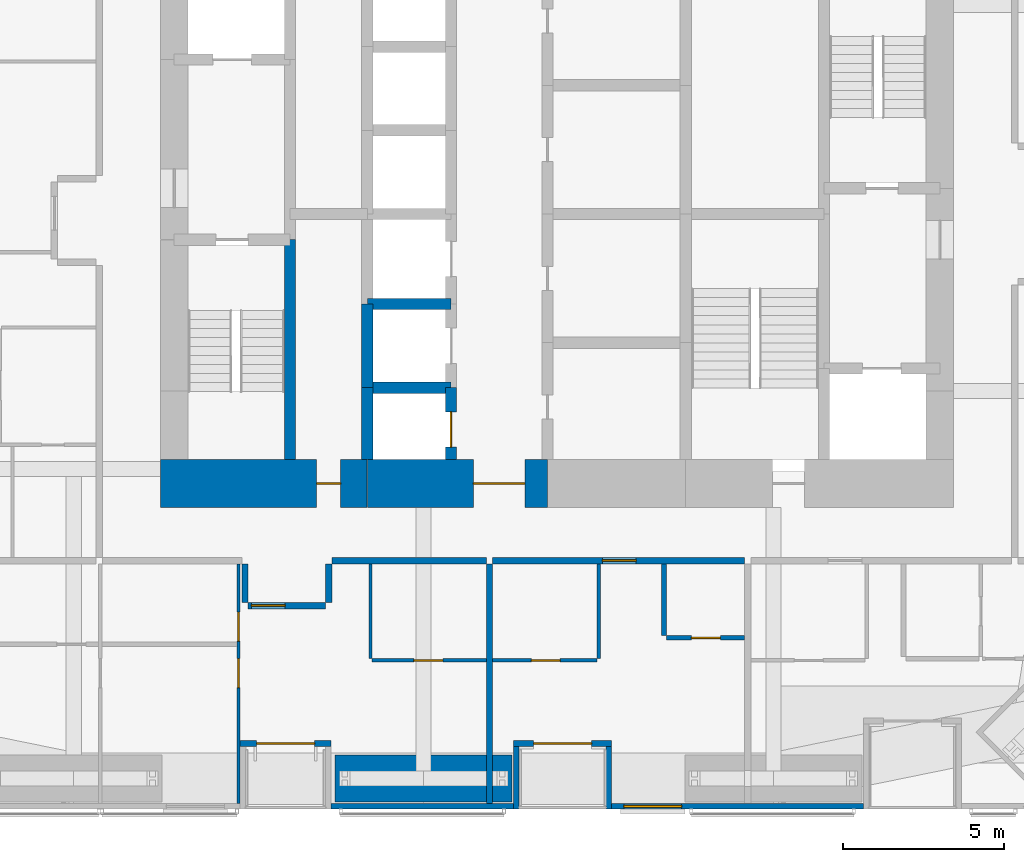
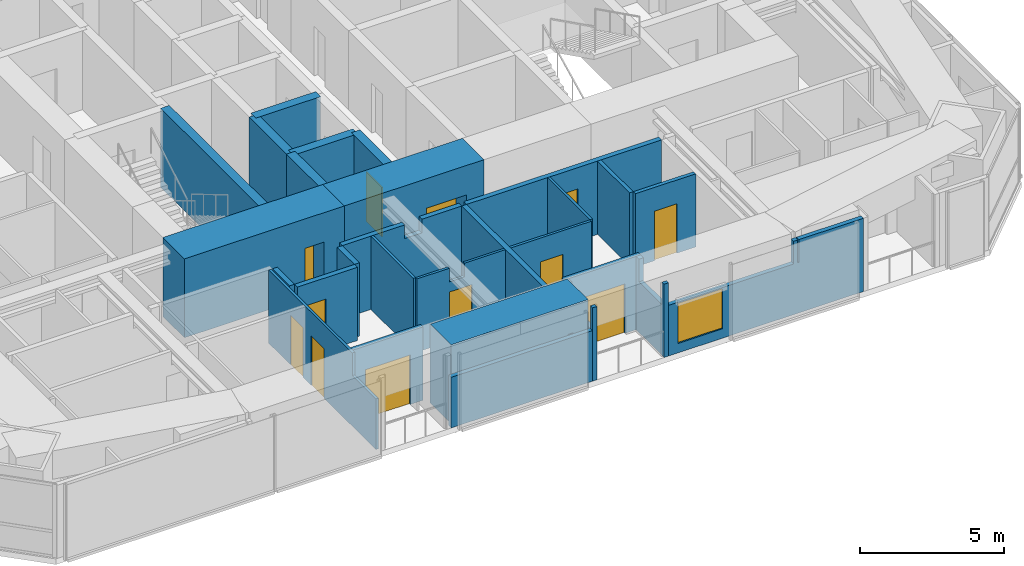
# One storey, part 17 of 23: 28 walls, 12 doors, 1 window, 13 openings.
"""IFC4 building model written with IfcOpenShell, lengths in metres."""

from ifc_helpers import new_model, si_unit, direction, frame, frame_2d, origin, place, context, subcontext, project, spatial, polyline, rectangle, outline, extrude, material, layer, layer_set, constituent, constituent_set, type_object, element, fill, save


model = new_model("IFC4")

# Units and contexts
model_context = context("Model", 3, precision=1e-05, world=origin(), true_north=direction((0.0, 1.0)))
body_context = subcontext(model_context, "Body", "Model", "MODEL_VIEW")
ifc_project = project(units=[si_unit("LENGTHUNIT", "METRE"), si_unit("AREAUNIT", "SQUARE_METRE"), si_unit("VOLUMEUNIT", "CUBIC_METRE"), si_unit("PLANEANGLEUNIT", "RADIAN"), si_unit("MASSUNIT", "GRAM", prefix="KILO")], contexts=[model_context])

# Site, building, storey
site_placement = place(None, origin())
site = spatial("IfcSite", under=ifc_project, at=site_placement, CompositionType="ELEMENT")
building_placement = place(site_placement, origin())
building = spatial("IfcBuilding", under=site, at=building_placement, Name="Jalousie Tower", CompositionType="ELEMENT")
storey_placement = place(building_placement, frame((0.0, 0.0, 88.10009765625)))
storey = spatial("IfcBuildingStorey", under=building, at=storey_placement, Name="L23", CompositionType="ELEMENT", Elevation=88.10009765625)

# Wall, opening, door
ifc_material_1 = material(Name="Concrete block ASTM C90", Category="concrete")
ifc_constituent_1 = constituent(ifc_material_1, Name="Body")
ifc_material_2 = material(Name="Render")
ifc_constituent_2 = constituent(ifc_material_2, Name="Finish")
ifc_constituent_set_1 = constituent_set(constituents=[ifc_constituent_1, ifc_constituent_2])
wall_type_1 = type_object("IfcWallType", Name="BATHROOM WALL 150", PredefinedType="PLUMBINGWALL", material=ifc_constituent_set_1)
wall_1_placement = place(storey_placement, frame((35.300048828125, 5.324951171875, 0.0), z_axis=(0.0, 0.0, 1.0), x_axis=(1.0, 0.0, 0.0)))
wall_1 = element("IfcWall", 1, at=wall_1_placement, inside=storey, type_object=wall_type_1, Name="Bathroom Wall 150 L23", PredefinedType="PLUMBINGWALL", context=body_context, shape_type="SweptSolid", body=[
    extrude(rectangle(XDim=2.425048828125, YDim=0.14990234375, at=frame_2d((1.21240234375, 0.0))), origin(), (0.0, 0.0, 1.0), 3.10986328125),
])
opening_1_placement = place(wall_1_placement, frame((0.77490234375, 0.0, 0.0)))
opening_1 = element("IfcOpeningElement", 2, at=opening_1_placement, cuts=wall_1, Name="Opening D3", PredefinedType="OPENING", context=body_context, shape_type="SweptSolid", body=[
    extrude(rectangle(XDim=0.89990234375, YDim=2.10009765625, at=frame_2d((0.449951171875, 1.050048828125))), frame((0.0, 0.0849609375, 0.0), z_axis=(0.0, -1.0, 0.0), x_axis=(1.0, 0.0, 0.0)), (0.0, 0.0, 1.0), 0.169921875),
])
ifc_material_3 = material(Name="Timber door", Category="wood")
door_type_1 = type_object("IfcDoorType", Name="BATHROOM DOOR 900", OperationType="SINGLE_SWING_LEFT", PredefinedType="DOOR", material=ifc_material_3)
door_1_placement = place(opening_1_placement, origin())
door_1 = element("IfcDoor", 3, at=door_1_placement, inside=storey, type_object=door_type_1, Name="Apartment 2302 bathroom door", OperationType="SINGLE_SWING_RIGHT", OverallHeight=2.10009765625, OverallWidth=0.89990234375, PredefinedType="DOOR", context=body_context, shape_type="SweptSolid", body=[
    extrude(rectangle(XDim=0.89990234375, YDim=2.10009765625, at=frame_2d((0.449951171875, 1.050048828125))), frame((0.0, 0.02490234375, 0.0), z_axis=(0.0, -1.0, 0.0), x_axis=(1.0, 0.0, 0.0)), (0.0, 0.0, 1.0), 0.050048828125),
])
fill(opening_1, door_1)

# Wall
wall_2_placement = place(storey_placement, frame((35.22509765625, 5.39990234375, 0.0), z_axis=(0.0, 0.0, 1.0), x_axis=(0.0, 1.0, 0.0)))
element("IfcWall", 4, at=wall_2_placement, inside=storey, type_object=wall_type_1, Name="Bathroom Wall 150 L23", PredefinedType="PLUMBINGWALL", context=body_context, shape_type="SweptSolid", body=[
    extrude(rectangle(XDim=2.22509765625, YDim=0.14990234375, at=frame_2d((1.112548828125, 0.0))), origin(), (0.0, 0.0, 1.0), 3.10986328125),
])

# Wall, opening, door
ifc_material_4 = material(Name="Concrete f'c 120 MPa", Category="concrete")
ifc_layer_1 = layer(ifc_material_4, 1.5)
ifc_layer_set_1 = layer_set([ifc_layer_1], Name="Concrete f'c 120 MPa")
wall_type_2 = type_object("IfcWallType", Name="CORE WALL 1500", PredefinedType="SHEAR", material=ifc_layer_set_1)
wall_3_placement = place(storey_placement, frame((19.574951171875, 10.125, 0.0), z_axis=(0.0, 0.0, 1.0), x_axis=(1.0, 0.0, 0.0)))
wall_3 = element("IfcWall", 5, at=wall_3_placement, inside=storey, type_object=wall_type_2, Name="Core wall SA L23", PredefinedType="SHEAR", context=body_context, shape_type="SweptSolid", body=[
    extrude(rectangle(XDim=6.425048828125, YDim=1.5, at=frame_2d((3.21240234375, 0.0))), origin(), (0.0, 0.0, 1.0), 3.349853515625),
])
opening_2_placement = place(wall_3_placement, frame((4.85009765625, 0.0, 0.0)))
opening_2 = element("IfcOpeningElement", 6, at=opening_2_placement, cuts=wall_3, Name="Opening D16", PredefinedType="OPENING", context=body_context, shape_type="SweptSolid", body=[
    extrude(rectangle(XDim=0.75, YDim=2.10009765625, at=frame_2d((0.375, 1.050048828125))), frame((0.0, 0.760009765625, 0.0), z_axis=(0.0, -1.0, 0.0), x_axis=(1.0, 0.0, 0.0)), (0.0, 0.0, 1.0), 1.52001953125),
])
ifc_material_5 = material(Name="Steel fire door", Category="steel")
door_type_2 = type_object("IfcDoorType", Name="RISER DOOR 750", OperationType="SINGLE_SWING_LEFT", PredefinedType="DOOR", material=ifc_material_5)
door_2_placement = place(opening_2_placement, origin())
door_2 = element("IfcDoor", 7, at=door_2_placement, inside=storey, type_object=door_type_2, Name="South riser door", OperationType="SINGLE_SWING_LEFT", OverallHeight=2.10009765625, OverallWidth=0.75, PredefinedType="DOOR", context=body_context, shape_type="SweptSolid", body=[
    extrude(rectangle(XDim=0.75, YDim=2.10009765625, at=frame_2d((0.375, 1.050048828125))), frame((0.0, 0.02490234375, 0.0), z_axis=(0.0, -1.0, 0.0), x_axis=(1.0, 0.0, 0.0)), (0.0, 0.0, 1.0), 0.050048828125),
])
fill(opening_2, door_2)

wall_4_placement = place(storey_placement, frame((26.0, 10.125, 0.0), z_axis=(0.0, 0.0, 1.0), x_axis=(1.0, 0.0, 0.0)))
wall_4 = element("IfcWall", 8, at=wall_4_placement, inside=storey, type_object=wall_type_2, Name="Core wall SB L23", PredefinedType="SHEAR", context=body_context, shape_type="SweptSolid", body=[
    extrude(rectangle(XDim=5.60009765625, YDim=1.5, at=frame_2d((2.800048828125, 0.0))), origin(), (0.0, 0.0, 1.0), 3.349853515625),
])
opening_3_placement = place(wall_4_placement, frame((3.300048828125, 0.0, 0.0)))
opening_3 = element("IfcOpeningElement", 9, at=opening_3_placement, cuts=wall_4, Name="Opening D15", PredefinedType="OPENING", context=body_context, shape_type="SweptSolid", body=[
    extrude(rectangle(XDim=1.60009765625, YDim=2.10009765625, at=frame_2d((0.800048828125, 1.050048828125))), frame((0.0, 0.760009765625, 0.0), z_axis=(0.0, -1.0, 0.0), x_axis=(1.0, 0.0, 0.0)), (0.0, 0.0, 1.0), 1.52001953125),
])
ifc_material_6 = material(Name="Steel fire door", Category="steel")
door_type_3 = type_object("IfcDoorType", Name="LIFT LOBBY DOOR 1600", OperationType="DOUBLE_DOOR_SINGLE_SWING", PredefinedType="DOOR", material=ifc_material_6)
door_3_placement = place(opening_3_placement, origin())
door_3 = element("IfcDoor", 10, at=door_3_placement, inside=storey, type_object=door_type_3, Name="Lift lobby south door", OperationType="DOUBLE_DOOR_SINGLE_SWING", OverallHeight=2.10009765625, OverallWidth=1.60009765625, PredefinedType="DOOR", context=body_context, shape_type="SweptSolid", body=[
    extrude(rectangle(XDim=1.60009765625, YDim=2.10009765625, at=frame_2d((0.800048828125, 1.050048828125))), frame((0.0, 0.02490234375, 0.0), z_axis=(0.0, -1.0, 0.0), x_axis=(1.0, 0.0, 0.0)), (0.0, 0.0, 1.0), 0.050048828125),
])
fill(opening_3, door_3)

# Walls
ifc_material_7 = material(Name="Concrete f'c 120 MPa", Category="concrete")
ifc_layer_2 = layer(ifc_material_7, 0.35009765625)
ifc_layer_set_2 = layer_set([ifc_layer_2], Name="Concrete f'c 120 MPa")
wall_type_3 = type_object("IfcWallType", Name="CORE WALL 350", PredefinedType="SHEAR", material=ifc_layer_set_2)
wall_5_placement = place(storey_placement, frame((23.60009765625, 10.875, 0.0), z_axis=(0.0, 0.0, 1.0), x_axis=(0.0, 1.0, 0.0)))
element("IfcWall", 11, at=wall_5_placement, inside=storey, type_object=wall_type_3, Name="Core wall X23.6A L23", PredefinedType="SHEAR", context=body_context, shape_type="SweptSolid", body=[
    extrude(rectangle(XDim=6.824951171875, YDim=0.35009765625, at=frame_2d((3.41259765625, 0.0))), origin(), (0.0, 0.0, 1.0), 3.349853515625),
])
wall_6_placement = place(storey_placement, frame((26.0, 10.875, 0.0), z_axis=(0.0, 0.0, 1.0), x_axis=(0.0, 1.0, 0.0)))
element("IfcWall", 12, at=wall_6_placement, inside=storey, type_object=wall_type_3, Name="Core wall X26A L23", PredefinedType="SHEAR", context=body_context, shape_type="SweptSolid", body=[
    extrude(rectangle(XDim=2.22509765625, YDim=0.35009765625, at=frame_2d((1.112548828125, 0.0))), origin(), (0.0, 0.0, 1.0), 3.349853515625),
])
wall_7_placement = place(storey_placement, frame((26.0, 13.10009765625, 0.0), z_axis=(0.0, 0.0, 1.0), x_axis=(0.0, 1.0, 0.0)))
element("IfcWall", 13, at=wall_7_placement, inside=storey, type_object=wall_type_3, Name="Core wall X26B L23", PredefinedType="SHEAR", context=body_context, shape_type="SweptSolid", body=[
    extrude(rectangle(XDim=2.599853515625, YDim=0.35009765625, at=frame_2d((1.2998046875, 0.0))), origin(), (0.0, 0.0, 1.0), 3.349853515625),
])

# Wall, opening, door
wall_8_placement = place(storey_placement, frame((28.60009765625, 10.875, 0.0), z_axis=(0.0, 0.0, 1.0), x_axis=(0.0, 1.0, 0.0)))
wall_8 = element("IfcWall", 14, at=wall_8_placement, inside=storey, type_object=wall_type_3, Name="Core wall X28.6A L23", PredefinedType="SHEAR", context=body_context, shape_type="SweptSolid", body=[
    extrude(rectangle(XDim=2.22509765625, YDim=0.35009765625, at=frame_2d((1.112548828125, 0.0))), origin(), (0.0, 0.0, 1.0), 3.349853515625),
])
opening_4_placement = place(wall_8_placement, frame((0.375, 0.0, 0.0)))
opening_4 = element("IfcOpeningElement", 15, at=opening_4_placement, cuts=wall_8, Name="Opening LD1", PredefinedType="OPENING", context=body_context, shape_type="SweptSolid", body=[
    extrude(rectangle(XDim=1.10009765625, YDim=2.10009765625, at=frame_2d((0.550048828125, 1.050048828125))), frame((0.0, 0.18505859375, 0.0), z_axis=(0.0, -1.0, 0.0), x_axis=(1.0, 0.0, 0.0)), (0.0, 0.0, 1.0), 0.3701171875),
])
ifc_material_8 = material(Name="Steel lift landing door", Category="steel")
door_type_4 = type_object("IfcDoorType", Name="LIFT LANDING DOOR 1100", OperationType="SLIDING_TO_LEFT", PredefinedType="DOOR", material=ifc_material_8)
door_4_placement = place(opening_4_placement, origin())
door_4 = element("IfcDoor", 16, at=door_4_placement, inside=storey, type_object=door_type_4, Name="Lift P1 landing door", OperationType="SLIDING_TO_LEFT", OverallHeight=2.10009765625, OverallWidth=1.10009765625, PredefinedType="DOOR", context=body_context, shape_type="SweptSolid", body=[
    extrude(rectangle(XDim=1.10009765625, YDim=2.10009765625, at=frame_2d((0.550048828125, 1.050048828125))), frame((0.0, 0.02490234375, 0.0), z_axis=(0.0, -1.0, 0.0), x_axis=(1.0, 0.0, 0.0)), (0.0, 0.0, 1.0), 0.050048828125),
])
fill(opening_4, door_4)

# Walls
for number, where, z_axis, x_axis, name in (
    (17, (26.0, 13.10009765625, 0.0), (0.0, 0.0, 1.0), (1.0, 0.0, 0.0), "Core wall Y26-13.1 L23"),
    (18, (26.0, 15.699951171875, 0.0), (0.0, 0.0, 1.0), (1.0, 0.0, 0.0), "Core wall Y26-15.7 L23"),
):
    element("IfcWall", number, at=place(storey_placement, frame(where, z_axis=z_axis, x_axis=x_axis)), inside=storey, type_object=wall_type_3, Name=name, PredefinedType="SHEAR", context=body_context, shape_type="SweptSolid", body=[
        extrude(rectangle(XDim=2.60009765625, YDim=0.35009765625, at=frame_2d((1.300048828125, 0.0))), origin(), (0.0, 0.0, 1.0), 3.349853515625),
    ])

# Wall, opening, door
ifc_material_9 = material(Name="Concrete block ASTM C90", Category="concrete")
ifc_constituent_3 = constituent(ifc_material_9, Name="Body")
ifc_material_10 = material(Name="Render")
ifc_constituent_4 = constituent(ifc_material_10, Name="Finish")
ifc_constituent_set_2 = constituent_set(constituents=[ifc_constituent_3, ifc_constituent_4])
wall_type_4 = type_object("IfcWallType", Name="CORRIDOR WALL 200", PredefinedType="PARTITIONING", material=ifc_constituent_set_2)
wall_9_placement = place(storey_placement, frame((29.89990234375, 7.72509765625, 0.0), z_axis=(0.0, 0.0, 1.0), x_axis=(1.0, 0.0, 0.0)))
wall_9 = element("IfcWall", 19, at=wall_9_placement, inside=storey, type_object=wall_type_4, Name="Corridor Wall 200 L23", PredefinedType="PARTITIONING", context=body_context, shape_type="SweptSolid", body=[
    extrude(rectangle(XDim=7.8251953125, YDim=0.199951171875, at=frame_2d((3.91259765625, 0.0))), origin(), (0.0, 0.0, 1.0), 3.10986328125),
])
opening_5_placement = place(wall_9_placement, frame((3.41259765625, 0.0, 0.0)))
opening_5 = element("IfcOpeningElement", 20, at=opening_5_placement, cuts=wall_9, Name="Opening D1", PredefinedType="OPENING", context=body_context, shape_type="SweptSolid", body=[
    extrude(rectangle(XDim=1.050048828125, YDim=2.199951171875, at=frame_2d((0.52490234375, 1.10009765625))), frame((0.0, 0.10986328125, 0.0), z_axis=(0.0, -1.0, 0.0), x_axis=(1.0, 0.0, 0.0)), (0.0, 0.0, 1.0), 0.219970703125),
])
ifc_material_11 = material(Name="Timber fire door", Category="wood")
door_type_5 = type_object("IfcDoorType", Name="APARTMENT ENTRANCE DOOR 1050", OperationType="SINGLE_SWING_LEFT", PredefinedType="DOOR", material=ifc_material_11)
door_5_placement = place(opening_5_placement, frame((1.050048828125, 0.0, 0.0), z_axis=(0.0, 0.0, 1.0), x_axis=(-1.0, 0.0, 0.0)))
door_5 = element("IfcDoor", 21, at=door_5_placement, inside=storey, type_object=door_type_5, Name="Apartment 2302 entrance", OperationType="SINGLE_SWING_RIGHT", OverallHeight=2.199951171875, OverallWidth=1.050048828125, PredefinedType="DOOR", context=body_context, shape_type="SweptSolid", body=[
    extrude(rectangle(XDim=1.050048828125, YDim=2.199951171875, at=frame_2d((0.52490234375, 1.10009765625))), frame((0.0, 0.02490234375, 0.0), z_axis=(0.0, -1.0, 0.0), x_axis=(1.0, 0.0, 0.0)), (0.0, 0.0, 1.0), 0.050048828125),
])
fill(opening_5, door_5)

# Wall
wall_10_placement = place(storey_placement, frame((24.89990234375, 7.72509765625, 0.0), z_axis=(0.0, 0.0, 1.0), x_axis=(1.0, 0.0, 0.0)))
element("IfcWall", 22, at=wall_10_placement, inside=storey, type_object=wall_type_4, Name="Corridor Wall 200 L23", PredefinedType="PARTITIONING", context=body_context, shape_type="SweptSolid", body=[
    extrude(outline(polyline([(0.0, 0.0), (4.800048828125, 0.0), (4.800048828125, 3.10986328125), (3.1962890625, 3.10986328125), (3.1962890625, 2.53076171875), (2.50390625, 2.53076171875), (2.50390625, 3.10986328125), (0.0, 3.10986328125), (0.0, 0.0)])), frame((0.0, 0.10009765625, 0.0), z_axis=(0.0, -1.0, 0.0), x_axis=(1.0, 0.0, 0.0)), (0.0, 0.0, 1.0), 0.199951171875),
])

# Wall, opening, door
wall_11_placement = place(storey_placement, frame((22.300048828125, 6.324951171875, 0.0), z_axis=(0.0, 0.0, 1.0), x_axis=(1.0, 0.0, 0.0)))
wall_11 = element("IfcWall", 23, at=wall_11_placement, inside=storey, type_object=wall_type_4, Name="Corridor Wall 200 L23", PredefinedType="PARTITIONING", context=body_context, shape_type="SweptSolid", body=[
    extrude(rectangle(XDim=2.39990234375, YDim=0.199951171875, at=frame_2d((1.199951171875, 0.0))), origin(), (0.0, 0.0, 1.0), 3.10986328125),
])
opening_6_placement = place(wall_11_placement, frame((0.10009765625, 0.0, 0.0)))
opening_6 = element("IfcOpeningElement", 24, at=opening_6_placement, cuts=wall_11, Name="Opening D1", PredefinedType="OPENING", context=body_context, shape_type="SweptSolid", body=[
    extrude(rectangle(XDim=1.050048828125, YDim=2.199951171875, at=frame_2d((0.52490234375, 1.10009765625))), frame((0.0, 0.10986328125, 0.0), z_axis=(0.0, -1.0, 0.0), x_axis=(1.0, 0.0, 0.0)), (0.0, 0.0, 1.0), 0.219970703125),
])
door_6_placement = place(opening_6_placement, frame((1.050048828125, 0.0, 0.0), z_axis=(0.0, 0.0, 1.0), x_axis=(-1.0, 0.0, 0.0)))
door_6 = element("IfcDoor", 25, at=door_6_placement, inside=storey, type_object=door_type_5, Name="Apartment 2301 entrance", OperationType="SINGLE_SWING_RIGHT", OverallHeight=2.199951171875, OverallWidth=1.050048828125, PredefinedType="DOOR", context=body_context, shape_type="SweptSolid", body=[
    extrude(rectangle(XDim=1.050048828125, YDim=2.199951171875, at=frame_2d((0.52490234375, 1.10009765625))), frame((0.0, 0.02490234375, 0.0), z_axis=(0.0, -1.0, 0.0), x_axis=(1.0, 0.0, 0.0)), (0.0, 0.0, 1.0), 0.050048828125),
])
fill(opening_6, door_6)

# Walls
for number, where, z_axis, x_axis, name in (
    (26, (22.199951171875, 7.625, 0.0), (0.0, 0.0, 1.0), (0.0, -1.0, 0.0), "Corridor Wall 200 L23"),
    (27, (24.800048828125, 7.625, 0.0), (0.0, 0.0, 1.0), (0.0, -1.0, 0.0), "Corridor Wall 200 L23"),
):
    element("IfcWall", number, at=place(storey_placement, frame(where, z_axis=z_axis, x_axis=x_axis)), inside=storey, type_object=wall_type_4, Name=name, PredefinedType="PARTITIONING", context=body_context, shape_type="SweptSolid", body=[
        extrude(rectangle(XDim=1.199951171875, YDim=0.199951171875, at=frame_2d((0.60009765625, 0.0))), origin(), (0.0, 0.0, 1.0), 3.10986328125),
    ])
ifc_material_12 = material(Name="Concrete f'c 40 MPa", Category="concrete")
ifc_constituent_5 = constituent(ifc_material_12, Name="Body")
ifc_material_13 = material(Name="Render, pastel sea green")
ifc_constituent_6 = constituent(ifc_material_13, Name="Finish")
ifc_constituent_set_3 = constituent_set(constituents=[ifc_constituent_5, ifc_constituent_6])
wall_type_5 = type_object("IfcWallType", Name="EXTERNAL WALL 175 SEA GREEN RENDER", PredefinedType="SOLIDWALL", material=ifc_constituent_set_3)
wall_12_placement = place(storey_placement, frame((24.875, 0.08740234375, 0.0), z_axis=(0.0, 0.0, 1.0), x_axis=(1.0, 0.0, 0.0)))
element("IfcWall", 28, at=wall_12_placement, inside=storey, type_object=wall_type_5, Name="External Wall 175 Sea Green Render L23", PredefinedType="SOLIDWALL", context=body_context, shape_type="SweptSolid", body=[
    extrude(rectangle(XDim=5.675048828125, YDim=0.175048828125, at=frame_2d((2.83740234375, 0.0))), origin(), (0.0, 0.0, 1.0), 2.14990234375),
])

# Wall, opening, window
wall_13_placement = place(storey_placement, frame((33.60009765625, 0.08740234375, 0.0), z_axis=(0.0, 0.0, 1.0), x_axis=(1.0, 0.0, 0.0)))
wall_13 = element("IfcWall", 29, at=wall_13_placement, inside=storey, type_object=wall_type_5, Name="External Wall 175 Sea Green Render L23", PredefinedType="SOLIDWALL", context=body_context, shape_type="SweptSolid", body=[
    extrude(outline(polyline([(0.0, 0.0), (7.824951171875, 0.0), (7.824951171875, 3.10986328125), (5.228271484375, 3.10986328125), (5.228271484375, 2.14990234375), (5.18310546875, 2.14990234375), (5.18310546875, 3.10986328125), (5.02490234375, 3.10986328125), (5.02490234375, 2.14990234375), (0.0, 2.14990234375), (0.0, 0.0)])), frame((0.0, 0.08740234375, 0.0), z_axis=(0.0, -1.0, 0.0), x_axis=(1.0, 0.0, 0.0)), (0.0, 0.0, 1.0), 0.175048828125),
])
opening_7_placement = place(wall_13_placement, frame((0.375, 0.0, 0.39990234375)))
opening_7 = element("IfcOpeningElement", 30, at=opening_7_placement, cuts=wall_13, Name="Opening W-BED170", PredefinedType="OPENING", context=body_context, shape_type="SweptSolid", body=[
    extrude(rectangle(XDim=1.800048828125, YDim=1.699951171875, at=frame_2d((0.89990234375, 0.85009765625))), frame((0.0, 0.097412109375, 0.0), z_axis=(0.0, -1.0, 0.0), x_axis=(1.0, 0.0, 0.0)), (0.0, 0.0, 1.0), 0.195068359375),
])
ifc_material_14 = material(Name="Aluminium frame, impact-rated glazing", Category="aluminium")
window_type = type_object("IfcWindowType", Name="WINDOW BED 1800x1700", PartitioningType="SINGLE_PANEL", PredefinedType="WINDOW", material=ifc_material_14)
window_placement = place(opening_7_placement, origin())
window = element("IfcWindow", 31, at=window_placement, inside=storey, type_object=window_type, Name="Apartment 2302 studio living and sleeping room window", OverallHeight=1.699951171875, OverallWidth=1.800048828125, PartitioningType="SINGLE_PANEL", PredefinedType="WINDOW", context=body_context, shape_type="SweptSolid", body=[
    extrude(rectangle(XDim=1.800048828125, YDim=1.699951171875, at=frame_2d((0.89990234375, 0.85009765625))), frame((0.0, 0.030029296875, 0.0), z_axis=(0.0, -1.0, 0.0), x_axis=(1.0, 0.0, 0.0)), (0.0, 0.0, 1.0), 0.06005859375),
])
fill(opening_7, window)

# Wall, opening, door
wall_14_placement = place(storey_placement, frame((22.050048828125, 2.03759765625, 0.0), z_axis=(0.0, 0.0, 1.0), x_axis=(1.0, 0.0, 0.0)))
wall_14 = element("IfcWall", 32, at=wall_14_placement, inside=storey, type_object=wall_type_5, Name="External Wall 175 Sea Green Render L23", PredefinedType="SOLIDWALL", context=body_context, shape_type="SweptSolid", body=[
    extrude(rectangle(XDim=2.824951171875, YDim=0.175048828125, at=frame_2d((1.41259765625, 0.0))), origin(), (0.0, 0.0, 1.0), 3.10986328125),
])
opening_8_placement = place(wall_14_placement, frame((0.512451171875, 0.0, 0.0)))
opening_8 = element("IfcOpeningElement", 33, at=opening_8_placement, cuts=wall_14, Name="Opening D-BAL21", PredefinedType="OPENING", context=body_context, shape_type="SweptSolid", body=[
    extrude(rectangle(XDim=1.800048828125, YDim=2.10009765625, at=frame_2d((0.89990234375, 1.050048828125))), frame((0.0, 0.097412109375, 0.0), z_axis=(0.0, -1.0, 0.0), x_axis=(1.0, 0.0, 0.0)), (0.0, 0.0, 1.0), 0.195068359375),
])
ifc_material_15 = material(Name="Aluminium frame, impact-rated glazing", Category="aluminium")
door_type_6 = type_object("IfcDoorType", Name="BALCONY DOOR 1800x2100", OperationType="SLIDING_TO_LEFT", PredefinedType="DOOR", material=ifc_material_15)
door_7_placement = place(opening_8_placement, origin())
door_7 = element("IfcDoor", 34, at=door_7_placement, inside=storey, type_object=door_type_6, Name="Apartment 2301 living and dining room loggia door", OperationType="SLIDING_TO_LEFT", OverallHeight=2.10009765625, OverallWidth=1.800048828125, PredefinedType="DOOR", context=body_context, shape_type="SweptSolid", body=[
    extrude(rectangle(XDim=1.800048828125, YDim=2.10009765625, at=frame_2d((0.89990234375, 1.050048828125))), frame((0.0, 0.02490234375, 0.0), z_axis=(0.0, -1.0, 0.0), x_axis=(1.0, 0.0, 0.0)), (0.0, 0.0, 1.0), 0.050048828125),
])
fill(opening_8, door_7)

wall_15_placement = place(storey_placement, frame((30.550048828125, 2.03759765625, 0.0), z_axis=(0.0, 0.0, 1.0), x_axis=(1.0, 0.0, 0.0)))
wall_15 = element("IfcWall", 35, at=wall_15_placement, inside=storey, type_object=wall_type_5, Name="External Wall 175 Sea Green Render L23", PredefinedType="SOLIDWALL", context=body_context, shape_type="SweptSolid", body=[
    extrude(rectangle(XDim=3.050048828125, YDim=0.175048828125, at=frame_2d((1.52490234375, 0.0))), origin(), (0.0, 0.0, 1.0), 3.10986328125),
])
opening_9_placement = place(wall_15_placement, frame((0.625, 0.0, 0.0)))
opening_9 = element("IfcOpeningElement", 36, at=opening_9_placement, cuts=wall_15, Name="Opening D-BAL21", PredefinedType="OPENING", context=body_context, shape_type="SweptSolid", body=[
    extrude(rectangle(XDim=1.800048828125, YDim=2.10009765625, at=frame_2d((0.89990234375, 1.050048828125))), frame((0.0, 0.097412109375, 0.0), z_axis=(0.0, -1.0, 0.0), x_axis=(1.0, 0.0, 0.0)), (0.0, 0.0, 1.0), 0.195068359375),
])
door_8_placement = place(opening_9_placement, origin())
door_8 = element("IfcDoor", 37, at=door_8_placement, inside=storey, type_object=door_type_6, Name="Apartment 2302 studio living and sleeping room loggia door", OperationType="SLIDING_TO_LEFT", OverallHeight=2.10009765625, OverallWidth=1.800048828125, PredefinedType="DOOR", context=body_context, shape_type="SweptSolid", body=[
    extrude(rectangle(XDim=1.800048828125, YDim=2.10009765625, at=frame_2d((0.89990234375, 1.050048828125))), frame((0.0, 0.02490234375, 0.0), z_axis=(0.0, -1.0, 0.0), x_axis=(1.0, 0.0, 0.0)), (0.0, 0.0, 1.0), 0.050048828125),
])
fill(opening_9, door_8)

# Walls
for number, where, z_axis, x_axis, name in (
    (38, (30.637451171875, 0.0, 0.0), (0.0, 0.0, 1.0), (0.0, 1.0, 0.0), "External Wall 175 Sea Green Render L23"),
    (39, (33.512451171875, 0.0, 0.0), (0.0, 0.0, 1.0), (0.0, 1.0, 0.0), "External Wall 175 Sea Green Render L23"),
):
    element("IfcWall", number, at=place(storey_placement, frame(where, z_axis=z_axis, x_axis=x_axis)), inside=storey, type_object=wall_type_5, Name=name, PredefinedType="SOLIDWALL", context=body_context, shape_type="SweptSolid", body=[
        extrude(outline(polyline([(0.0, 0.0), (1.949951171875, 0.0), (1.949951171875, 3.10986328125), (1.75, 3.10986328125), (1.75, 2.14990234375), (0.14990234375, 2.14990234375), (0.14990234375, 3.10986328125), (0.0, 3.10986328125), (0.0, 0.0)])), frame((0.0, 0.08740234375, 0.0), z_axis=(0.0, -1.0, 0.0), x_axis=(1.0, 0.0, 0.0)), (0.0, 0.0, 1.0), 0.175048828125),
    ])

# Wall, openings, doors
ifc_material_16 = material(Name="Gypsum board", Category="gypsum")
ifc_constituent_7 = constituent(ifc_material_16, Name="Body")
ifc_material_17 = material(Name="Light-gauge steel studs ASTM A653 SS Grade 33", Category="steel")
ifc_constituent_8 = constituent(ifc_material_17, Name="Framing")
ifc_constituent_set_4 = constituent_set(constituents=[ifc_constituent_7, ifc_constituent_8])
wall_type_6 = type_object("IfcWallType", Name="PARTITION 100", PredefinedType="PARTITIONING", material=ifc_constituent_set_4)
wall_16_placement = place(storey_placement, frame((22.0, 0.175048828125, 0.0), z_axis=(0.0, 0.0, 1.0), x_axis=(0.0, 1.0, 0.0)))
wall_16 = element("IfcWall", 40, at=wall_16_placement, inside=storey, type_object=wall_type_6, Name="Partition 100 L23", PredefinedType="PARTITIONING", context=body_context, shape_type="SweptSolid", body=[
    extrude(outline(polyline([(0.0, 0.0), (7.449951171875, 0.0), (7.449951171875, 3.10986328125), (1.635009765625, 3.10986328125), (1.635009765625, 2.14990234375), (0.0, 2.14990234375), (0.0, 3.10986328125), (0.0, 0.0)])), frame((0.0, 0.050048828125, 0.0), z_axis=(0.0, -1.0, 0.0), x_axis=(1.0, 0.0, 0.0)), (0.0, 0.0, 1.0), 0.10009765625),
])
opening_10_placement = place(wall_16_placement, frame((3.60009765625, 0.0, 0.0)))
opening_10 = element("IfcOpeningElement", 41, at=opening_10_placement, cuts=wall_16, Name="Opening D2", PredefinedType="OPENING", context=body_context, shape_type="SweptSolid", body=[
    extrude(rectangle(XDim=0.89990234375, YDim=2.10009765625, at=frame_2d((0.449951171875, 1.050048828125))), frame((0.0, 0.06005859375, 0.0), z_axis=(0.0, -1.0, 0.0), x_axis=(1.0, 0.0, 0.0)), (0.0, 0.0, 1.0), 0.1201171875),
])
opening_11_placement = place(wall_16_placement, frame((5.050048828125, 0.0, 0.0)))
opening_11 = element("IfcOpeningElement", 42, at=opening_11_placement, cuts=wall_16, Name="Opening D7", PredefinedType="OPENING", context=body_context, shape_type="SweptSolid", body=[
    extrude(rectangle(XDim=0.89990234375, YDim=2.10009765625, at=frame_2d((0.449951171875, 1.050048828125))), frame((0.0, 0.06005859375, 0.0), z_axis=(0.0, -1.0, 0.0), x_axis=(1.0, 0.0, 0.0)), (0.0, 0.0, 1.0), 0.1201171875),
])
ifc_material_18 = material(Name="Timber door", Category="wood")
door_type_7 = type_object("IfcDoorType", Name="BEDROOM DOOR 900", OperationType="SINGLE_SWING_LEFT", PredefinedType="DOOR", material=ifc_material_18)
door_9_placement = place(opening_10_placement, origin())
door_9 = element("IfcDoor", 43, at=door_9_placement, inside=storey, type_object=door_type_7, Name="Apartment 2301 bedroom 3 door", OperationType="SINGLE_SWING_RIGHT", OverallHeight=2.10009765625, OverallWidth=0.89990234375, PredefinedType="DOOR", context=body_context, shape_type="SweptSolid", body=[
    extrude(rectangle(XDim=0.89990234375, YDim=2.10009765625, at=frame_2d((0.449951171875, 1.050048828125))), frame((0.0, 0.02490234375, 0.0), z_axis=(0.0, -1.0, 0.0), x_axis=(1.0, 0.0, 0.0)), (0.0, 0.0, 1.0), 0.050048828125),
])
fill(opening_10, door_9)
ifc_material_19 = material(Name="Timber door", Category="wood")
door_type_8 = type_object("IfcDoorType", Name="INTERNAL DOOR 900", OperationType="SINGLE_SWING_LEFT", PredefinedType="DOOR", material=ifc_material_19)
door_10_placement = place(opening_11_placement, origin())
door_10 = element("IfcDoor", 44, at=door_10_placement, inside=storey, type_object=door_type_8, Name="Apartment 2301 bathroom door", OperationType="SINGLE_SWING_LEFT", OverallHeight=2.10009765625, OverallWidth=0.89990234375, PredefinedType="DOOR", context=body_context, shape_type="SweptSolid", body=[
    extrude(rectangle(XDim=0.89990234375, YDim=2.10009765625, at=frame_2d((0.449951171875, 1.050048828125))), frame((0.0, 0.02490234375, 0.0), z_axis=(0.0, -1.0, 0.0), x_axis=(1.0, 0.0, 0.0)), (0.0, 0.0, 1.0), 0.050048828125),
])
fill(opening_11, door_10)

# Wall, opening, door
wall_17_placement = place(storey_placement, frame((26.14990234375, 4.625, 0.0), z_axis=(0.0, 0.0, 1.0), x_axis=(1.0, 0.0, 0.0)))
wall_17 = element("IfcWall", 45, at=wall_17_placement, inside=storey, type_object=wall_type_6, Name="Partition 100 L23", PredefinedType="PARTITIONING", context=body_context, shape_type="SweptSolid", body=[
    extrude(outline(polyline([(0.0, 0.0), (3.550048828125, 0.0), (3.550048828125, 3.10986328125), (1.896240234375, 3.10986328125), (1.896240234375, 2.53076171875), (1.3037109375, 2.53076171875), (1.3037109375, 3.10986328125), (0.0, 3.10986328125), (0.0, 0.0)])), frame((0.0, 0.050048828125, 0.0), z_axis=(0.0, -1.0, 0.0), x_axis=(1.0, 0.0, 0.0)), (0.0, 0.0, 1.0), 0.10009765625),
])
opening_12_placement = place(wall_17_placement, frame((1.300048828125, 0.0, 0.0)))
opening_12 = element("IfcOpeningElement", 46, at=opening_12_placement, cuts=wall_17, Name="Opening D7", PredefinedType="OPENING", context=body_context, shape_type="SweptSolid", body=[
    extrude(rectangle(XDim=0.89990234375, YDim=2.10009765625, at=frame_2d((0.449951171875, 1.050048828125))), frame((0.0, 0.06005859375, 0.0), z_axis=(0.0, -1.0, 0.0), x_axis=(1.0, 0.0, 0.0)), (0.0, 0.0, 1.0), 0.1201171875),
])
door_11_placement = place(opening_12_placement, frame((0.89990234375, 0.0, 0.0), z_axis=(0.0, 0.0, 1.0), x_axis=(-1.0, 0.0, 0.0)))
door_11 = element("IfcDoor", 47, at=door_11_placement, inside=storey, type_object=door_type_8, Name="Apartment 2301 kitchen door", OperationType="SINGLE_SWING_LEFT", OverallHeight=2.10009765625, OverallWidth=0.89990234375, PredefinedType="DOOR", context=body_context, shape_type="SweptSolid", body=[
    extrude(rectangle(XDim=0.89990234375, YDim=2.10009765625, at=frame_2d((0.449951171875, 1.050048828125))), frame((0.0, 0.02490234375, 0.0), z_axis=(0.0, -1.0, 0.0), x_axis=(1.0, 0.0, 0.0)), (0.0, 0.0, 1.0), 0.050048828125),
])
fill(opening_12, door_11)

# Wall
wall_18_placement = place(storey_placement, frame((26.10009765625, 4.675048828125, 0.0), z_axis=(0.0, 0.0, 1.0), x_axis=(0.0, 1.0, 0.0)))
element("IfcWall", 48, at=wall_18_placement, inside=storey, type_object=wall_type_6, Name="Partition 100 L23", PredefinedType="PARTITIONING", context=body_context, shape_type="SweptSolid", body=[
    extrude(rectangle(XDim=2.949951171875, YDim=0.10009765625, at=frame_2d((1.47509765625, 0.0))), origin(), (0.0, 0.0, 1.0), 3.10986328125),
])

# Wall, opening, door
wall_19_placement = place(storey_placement, frame((29.89990234375, 4.625, 0.0), z_axis=(0.0, 0.0, 1.0), x_axis=(1.0, 0.0, 0.0)))
wall_19 = element("IfcWall", 49, at=wall_19_placement, inside=storey, type_object=wall_type_6, Name="Partition 100 L23", PredefinedType="PARTITIONING", context=body_context, shape_type="SweptSolid", body=[
    extrude(rectangle(XDim=3.25, YDim=0.10009765625, at=frame_2d((1.625, 0.0))), origin(), (0.0, 0.0, 1.0), 3.10986328125),
])
opening_13_placement = place(wall_19_placement, frame((1.199951171875, 0.0, 0.0)))
opening_13 = element("IfcOpeningElement", 50, at=opening_13_placement, cuts=wall_19, Name="Opening D7", PredefinedType="OPENING", context=body_context, shape_type="SweptSolid", body=[
    extrude(rectangle(XDim=0.89990234375, YDim=2.10009765625, at=frame_2d((0.449951171875, 1.050048828125))), frame((0.0, 0.06005859375, 0.0), z_axis=(0.0, -1.0, 0.0), x_axis=(1.0, 0.0, 0.0)), (0.0, 0.0, 1.0), 0.1201171875),
])
door_12_placement = place(opening_13_placement, origin())
door_12 = element("IfcDoor", 51, at=door_12_placement, inside=storey, type_object=door_type_8, Name="Apartment 2302 kitchen door", OperationType="SINGLE_SWING_RIGHT", OverallHeight=2.10009765625, OverallWidth=0.89990234375, PredefinedType="DOOR", context=body_context, shape_type="SweptSolid", body=[
    extrude(rectangle(XDim=0.89990234375, YDim=2.10009765625, at=frame_2d((0.449951171875, 1.050048828125))), frame((0.0, 0.02490234375, 0.0), z_axis=(0.0, -1.0, 0.0), x_axis=(1.0, 0.0, 0.0)), (0.0, 0.0, 1.0), 0.050048828125),
])
fill(opening_13, door_12)

# Walls
wall_20_placement = place(storey_placement, frame((33.199951171875, 4.675048828125, 0.0), z_axis=(0.0, 0.0, 1.0), x_axis=(0.0, 1.0, 0.0)))
element("IfcWall", 52, at=wall_20_placement, inside=storey, type_object=wall_type_6, Name="Partition 100 L23", PredefinedType="PARTITIONING", context=body_context, shape_type="SweptSolid", body=[
    extrude(rectangle(XDim=2.949951171875, YDim=0.10009765625, at=frame_2d((1.47509765625, 0.0))), origin(), (0.0, 0.0, 1.0), 3.10986328125),
])
ifc_material_20 = material(Name="Concrete block ASTM C90", Category="concrete")
ifc_constituent_9 = constituent(ifc_material_20, Name="Body")
ifc_material_21 = material(Name="Render")
ifc_constituent_10 = constituent(ifc_material_21, Name="Finish")
ifc_constituent_set_5 = constituent_set(constituents=[ifc_constituent_9, ifc_constituent_10])
wall_type_7 = type_object("IfcWallType", Name="PARTY WALL 200", PredefinedType="PARTITIONING", material=ifc_constituent_set_5)
wall_21_placement = place(storey_placement, frame((29.800048828125, 0.175048828125, 0.0), z_axis=(0.0, 0.0, 1.0), x_axis=(0.0, 1.0, 0.0)))
element("IfcWall", 53, at=wall_21_placement, inside=storey, type_object=wall_type_7, Name="Party Wall 200 L23", PredefinedType="PARTITIONING", context=body_context, shape_type="SweptSolid", body=[
    extrude(outline(polyline([(0.526123046875, 2.14990234375), (0.0, 2.14990234375), (0.0, 0.0), (0.526123046875, 0.0), (0.526123046875, 0.11474609375), (1.023681640625, 0.11474609375), (1.023681640625, 0.0), (7.449951171875, 0.0), (7.449951171875, 3.10986328125), (1.68505859375, 3.10986328125), (1.68505859375, 2.14990234375), (1.023681640625, 2.14990234375), (1.023681640625, 2.034912109375), (0.526123046875, 2.034912109375), (0.526123046875, 2.14990234375)])), frame((0.0, 0.10009765625, 0.0), z_axis=(0.0, -1.0, 0.0), x_axis=(1.0, 0.0, 0.0)), (0.0, 0.0, 1.0), 0.199951171875),
])
ifc_material_22 = material(Name="Concrete f'c 120 MPa", Category="concrete")
ifc_layer_3 = layer(ifc_material_22, 1.449951171875)
ifc_layer_set_3 = layer_set([ifc_layer_3], Name="Concrete f'c 120 MPa")
wall_type_8 = type_object("IfcWallType", Name="RC WALL PIER 1450", PredefinedType="SHEAR", material=ifc_layer_set_3)
wall_22_placement = place(storey_placement, frame((25.0, 0.949951171875, 0.0), z_axis=(0.0, 0.0, 1.0), x_axis=(1.0, 0.0, 0.0)))
element("IfcWall", 54, at=wall_22_placement, inside=storey, type_object=wall_type_8, Name="Wall pier 03 L23", PredefinedType="SHEAR", context=body_context, shape_type="SweptSolid", body=[
    extrude(rectangle(XDim=5.5, YDim=1.449951171875, at=frame_2d((2.75, 0.0))), origin(), (0.0, 0.0, 1.0), 3.349853515625),
])

save(model, "model.ifc")
